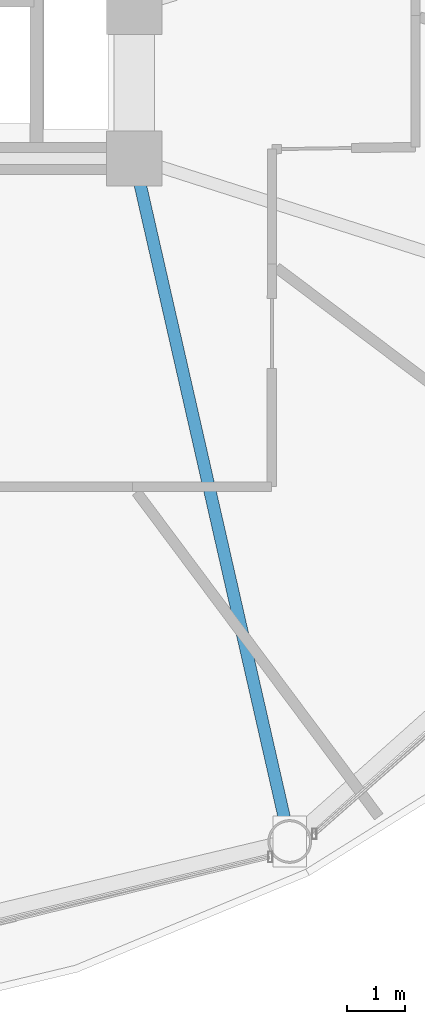
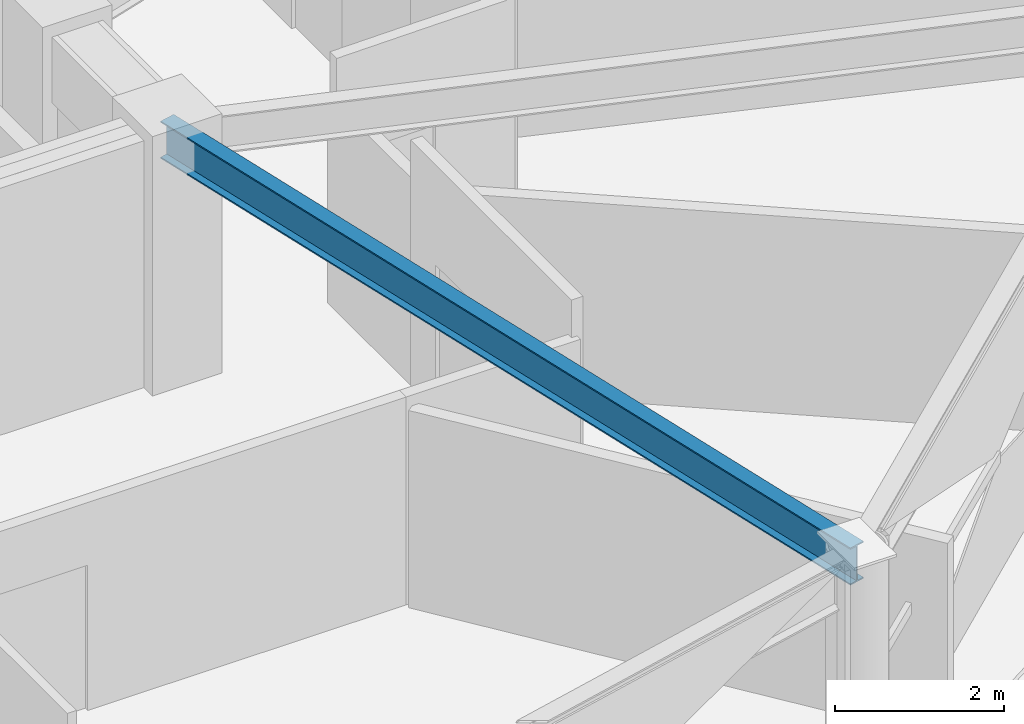
# One storey, part 10 of 29: 1 beam.
"""IFC4 building model written with IfcOpenShell, lengths in metres."""

from ifc_helpers import new_model, si_unit, direction, frame, origin, origin_2d, place, context, subcontext, project, spatial, i_section, extrude, material, material_profile, profile_set, type_object, element, save


model = new_model("IFC4")

# Units and contexts
model_context = context("Model", 3, precision=1e-05, world=origin(), true_north=direction((0.0, 1.0)))
body_context = subcontext(model_context, "Body", "Model", "MODEL_VIEW")
ifc_project = project(units=[si_unit("LENGTHUNIT", "METRE"), si_unit("AREAUNIT", "SQUARE_METRE"), si_unit("VOLUMEUNIT", "CUBIC_METRE"), si_unit("PLANEANGLEUNIT", "RADIAN"), si_unit("MASSUNIT", "GRAM", prefix="KILO")], contexts=[model_context])

# Site, building, storey
site_placement = place(None, origin())
site = spatial("IfcSite", under=ifc_project, at=site_placement, CompositionType="ELEMENT")
building_placement = place(site_placement, origin())
building = spatial("IfcBuilding", under=site, at=building_placement, Name="Vantalir Tower", CompositionType="ELEMENT")
storey_placement = place(building_placement, frame((0.0, 0.0, 168.449951171875)))
storey = spatial("IfcBuildingStorey", under=building, at=storey_placement, Name="L42", CompositionType="ELEMENT", Elevation=168.449951171875)

# Beam
ifc_material = material(Name="Steel S355", Category="steel")
ifc_material_profile = material_profile(ifc_material, i_section(OverallWidth=0.2109375, OverallDepth=0.5390625, WebThickness=0.01171875, FlangeThickness=0.018798828125, at=origin_2d()), Name="Steel S355")
ifc_profile_set = profile_set([ifc_material_profile], Name="Steel S355")
beam_type = type_object("IfcBeamType", Name="BM-RB-533x210", PredefinedType="BEAM", material=ifc_profile_set)
beam_placement = place(storey_placement, frame((43.76806640625, 6.0791015625, 3.301025390625), z_axis=(-0.221946768122, 0.97505878393, 0.0), x_axis=(-0.97505878393, -0.221946768122, 0.0)))
element("IfcBeam", 1, at=beam_placement, inside=storey, type_object=beam_type, Name="L42 Radial Floor Beam 11", PredefinedType="BEAM", context=body_context, shape_type="SweptSolid", body=[
    extrude(i_section(OverallWidth=0.2109375, OverallDepth=0.5390625, WebThickness=0.01171875, FlangeThickness=0.018798828125, at=origin_2d()), origin(), (0.0, 0.0, 1.0), 12.020751953125),
])

save(model, "model.ifc")
